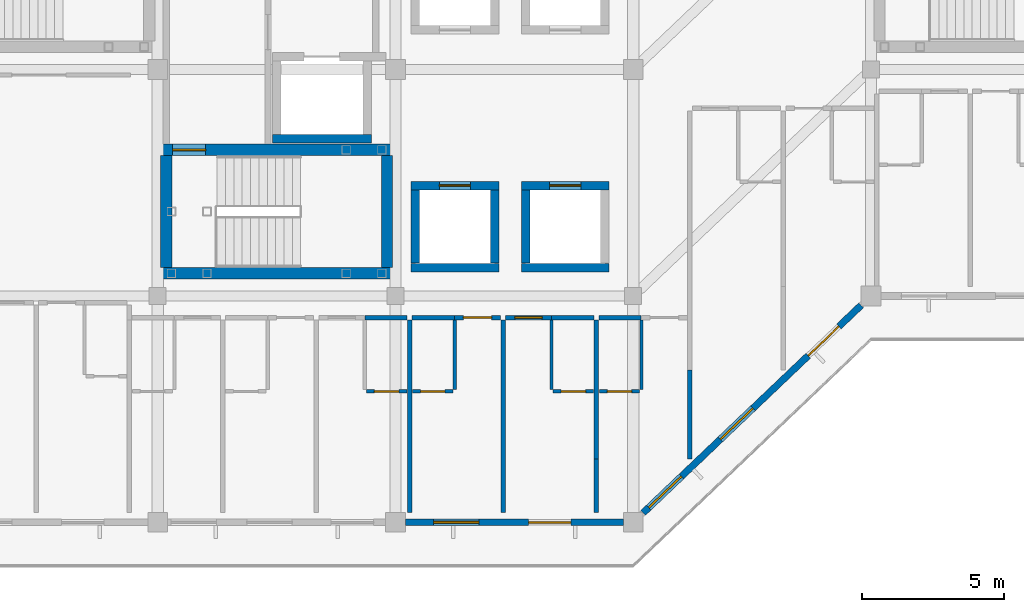
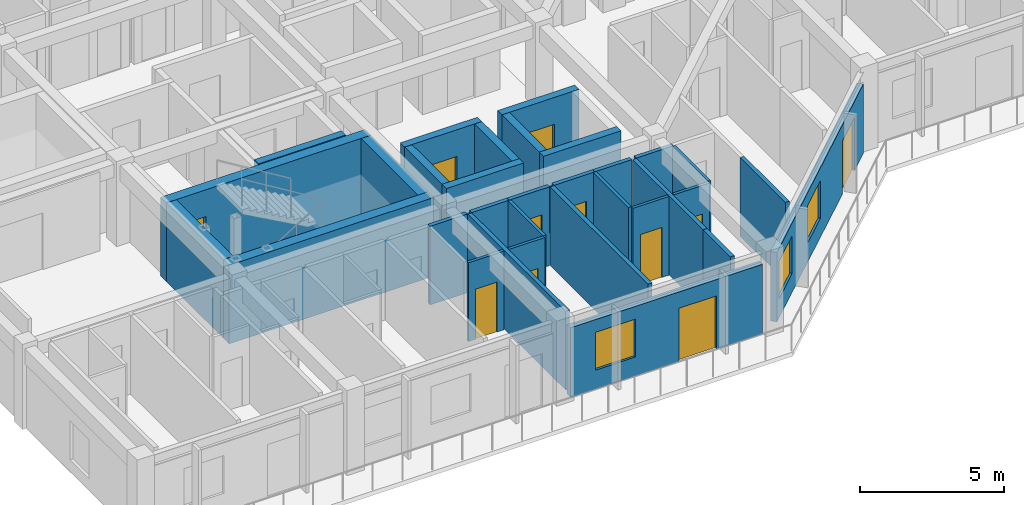
# One storey, part 5 of 15: 32 walls, 11 doors, 3 windows, 14 openings.
"""IFC4 building model written with IfcOpenShell, lengths in metres."""

from ifc_helpers import new_model, si_unit, direction, frame, frame_2d, origin, place, context, subcontext, project, spatial, rectangle, extrude, material, layer, layer_set, type_object, element, fill, save


model = new_model("IFC4")

# Units and contexts
model_context = context("Model", 3, precision=1e-05, world=origin(), true_north=direction((0.0, 1.0)))
body_context = subcontext(model_context, "Body", "Model", "MODEL_VIEW")
ifc_project = project(units=[si_unit("LENGTHUNIT", "METRE"), si_unit("AREAUNIT", "SQUARE_METRE"), si_unit("VOLUMEUNIT", "CUBIC_METRE"), si_unit("PLANEANGLEUNIT", "RADIAN"), si_unit("MASSUNIT", "GRAM", prefix="KILO")], contexts=[model_context])

# Site, building, storey
site_placement = place(None, origin())
site = spatial("IfcSite", under=ifc_project, at=site_placement, CompositionType="ELEMENT")
building_placement = place(site_placement, origin())
building = spatial("IfcBuilding", under=site, at=building_placement, Name="Naruveol Harbour Congress Hotel", CompositionType="ELEMENT")
storey_placement = place(building_placement, frame((0.0, 0.0, 32.39990234375)))
storey = spatial("IfcBuildingStorey", under=building, at=storey_placement, Name="L07", CompositionType="ELEMENT", Elevation=32.39990234375)

# Wall, opening, door
ifc_material_1 = material(Name="Moisture-Resistant Gypsum Partition", Category="gypsum")
ifc_layer_1 = layer(ifc_material_1, 0.114990234375)
ifc_layer_set_1 = layer_set([ifc_layer_1], Name="Moisture-Resistant Gypsum Partition")
wall_type_1 = type_object("IfcWallType", Name="BATHROOM MOISTURE PARTITION WALL 115", PredefinedType="PARTITIONING", material=ifc_layer_set_1)
wall_1_placement = place(storey_placement, frame((133.3701171875, 4.6298828125, 0.0), z_axis=(0.0, 0.0, 1.0), x_axis=(1.0, 0.0, 0.0)))
wall_1 = element("IfcWall", 1, at=wall_1_placement, inside=storey, type_object=wall_type_1, Name="Bathroom south wall 0891 PW-115", PredefinedType="PARTITIONING", context=body_context, shape_type="SweptSolid", body=[
    extrude(rectangle(XDim=1.429931640625, YDim=0.114990234375, at=frame_2d((0.71484375, 0.0))), origin(), (0.0, 0.0, 1.0), 3.335205078125),
])
opening_1_placement = place(wall_1_placement, frame((0.284912109375, 0.0, 0.0)))
opening_1 = element("IfcOpeningElement", 2, at=opening_1_placement, cuts=wall_1, Name="Opening BD-RM0891", PredefinedType="OPENING", context=body_context, shape_type="SweptSolid", body=[
    extrude(rectangle(XDim=0.860107421875, YDim=2.1201171875, at=frame_2d((0.43017578125, 1.06005859375))), frame((0.0, 0.0673828125, 0.0), z_axis=(0.0, -1.0, 0.0), x_axis=(1.0, 0.0, 0.0)), (0.0, 0.0, 1.0), 0.135009765625),
])
ifc_material_2 = material(Name="Timber & Steel Acoustic Leaf", Category="steel")
door_type_1 = type_object("IfcDoorType", Name="GUEST BATHROOM DOOR 860X2120", OperationType="NOTDEFINED", PredefinedType="DOOR", material=ifc_material_2)
door_1_placement = place(opening_1_placement, origin())
door_1 = element("IfcDoor", 3, at=door_1_placement, inside=storey, type_object=door_type_1, Name="Bathroom Door 0891", OperationType="SINGLE_SWING_RIGHT", OverallHeight=2.1201171875, OverallWidth=0.860107421875, PredefinedType="DOOR", context=body_context, shape_type="SweptSolid", body=[
    extrude(rectangle(XDim=0.860107421875, YDim=2.1201171875, at=frame_2d((0.43017578125, 1.06005859375))), frame((0.0, 0.02490234375, 0.0), z_axis=(0.0, -1.0, 0.0), x_axis=(1.0, 0.0, 0.0)), (0.0, 0.0, 1.0), 0.050048828125),
])
fill(opening_1, door_1)

# Wall
wall_2_placement = place(storey_placement, frame((136.489990234375, 4.68994140625, 0.0), z_axis=(0.0, 0.0, 1.0), x_axis=(0.0, 1.0, 0.0)))
element("IfcWall", 4, at=wall_2_placement, inside=storey, type_object=wall_type_1, Name="Bathroom east wall 0892 PW-115", PredefinedType="PARTITIONING", context=body_context, shape_type="SweptSolid", body=[
    extrude(rectangle(XDim=2.449951171875, YDim=0.114990234375, at=frame_2d((1.22509765625, 0.0))), origin(), (0.0, 0.0, 1.0), 3.335205078125),
])

# Wall, opening, door
wall_3_placement = place(storey_placement, frame((135.0, 4.6298828125, 0.0), z_axis=(0.0, 0.0, 1.0), x_axis=(1.0, 0.0, 0.0)))
wall_3 = element("IfcWall", 5, at=wall_3_placement, inside=storey, type_object=wall_type_1, Name="Bathroom south wall 0892 PW-115", PredefinedType="PARTITIONING", context=body_context, shape_type="SweptSolid", body=[
    extrude(rectangle(XDim=1.429931640625, YDim=0.114990234375, at=frame_2d((0.71484375, 0.0))), origin(), (0.0, 0.0, 1.0), 3.335205078125),
])
opening_2_placement = place(wall_3_placement, frame((0.284912109375, 0.0, 0.0)))
opening_2 = element("IfcOpeningElement", 6, at=opening_2_placement, cuts=wall_3, Name="Opening BD-RM0892", PredefinedType="OPENING", context=body_context, shape_type="SweptSolid", body=[
    extrude(rectangle(XDim=0.860107421875, YDim=2.1201171875, at=frame_2d((0.43017578125, 1.06005859375))), frame((0.0, 0.0673828125, 0.0), z_axis=(0.0, -1.0, 0.0), x_axis=(1.0, 0.0, 0.0)), (0.0, 0.0, 1.0), 0.135009765625),
])
door_2_placement = place(opening_2_placement, origin())
door_2 = element("IfcDoor", 7, at=door_2_placement, inside=storey, type_object=door_type_1, Name="Bathroom Door 0892", OperationType="SINGLE_SWING_RIGHT", OverallHeight=2.1201171875, OverallWidth=0.860107421875, PredefinedType="DOOR", context=body_context, shape_type="SweptSolid", body=[
    extrude(rectangle(XDim=0.860107421875, YDim=2.1201171875, at=frame_2d((0.43017578125, 1.06005859375))), frame((0.0, 0.02490234375, 0.0), z_axis=(0.0, -1.0, 0.0), x_axis=(1.0, 0.0, 0.0)), (0.0, 0.0, 1.0), 0.050048828125),
])
fill(opening_2, door_2)

# Wall
wall_4_placement = place(storey_placement, frame((139.909912109375, 4.68994140625, 0.0), z_axis=(0.0, 0.0, 1.0), x_axis=(0.0, 1.0, 0.0)))
element("IfcWall", 8, at=wall_4_placement, inside=storey, type_object=wall_type_1, Name="Bathroom west wall 0893 PW-115", PredefinedType="PARTITIONING", context=body_context, shape_type="SweptSolid", body=[
    extrude(rectangle(XDim=2.449951171875, YDim=0.114990234375, at=frame_2d((1.22509765625, 0.0))), origin(), (0.0, 0.0, 1.0), 3.335205078125),
])

# Wall, opening, door
wall_5_placement = place(storey_placement, frame((139.969970703125, 4.6298828125, 0.0), z_axis=(0.0, 0.0, 1.0), x_axis=(1.0, 0.0, 0.0)))
wall_5 = element("IfcWall", 9, at=wall_5_placement, inside=storey, type_object=wall_type_1, Name="Bathroom south wall 0893 PW-115", PredefinedType="PARTITIONING", context=body_context, shape_type="SweptSolid", body=[
    extrude(rectangle(XDim=1.429931640625, YDim=0.114990234375, at=frame_2d((0.71484375, 0.0))), origin(), (0.0, 0.0, 1.0), 3.335205078125),
])
opening_3_placement = place(wall_5_placement, frame((0.284912109375, 0.0, 0.0)))
opening_3 = element("IfcOpeningElement", 10, at=opening_3_placement, cuts=wall_5, Name="Opening BD-RM0893", PredefinedType="OPENING", context=body_context, shape_type="SweptSolid", body=[
    extrude(rectangle(XDim=0.860107421875, YDim=2.1201171875, at=frame_2d((0.43017578125, 1.06005859375))), frame((0.0, 0.0673828125, 0.0), z_axis=(0.0, -1.0, 0.0), x_axis=(1.0, 0.0, 0.0)), (0.0, 0.0, 1.0), 0.135009765625),
])
door_3_placement = place(opening_3_placement, origin())
door_3 = element("IfcDoor", 11, at=door_3_placement, inside=storey, type_object=door_type_1, Name="Bathroom Door 0893", OperationType="SINGLE_SWING_RIGHT", OverallHeight=2.1201171875, OverallWidth=0.860107421875, PredefinedType="DOOR", context=body_context, shape_type="SweptSolid", body=[
    extrude(rectangle(XDim=0.860107421875, YDim=2.1201171875, at=frame_2d((0.43017578125, 1.06005859375))), frame((0.0, 0.02490234375, 0.0), z_axis=(0.0, -1.0, 0.0), x_axis=(1.0, 0.0, 0.0)), (0.0, 0.0, 1.0), 0.050048828125),
])
fill(opening_3, door_3)

# Wall
wall_6_placement = place(storey_placement, frame((143.090087890625, 4.68994140625, 0.0), z_axis=(0.0, 0.0, 1.0), x_axis=(0.0, 1.0, 0.0)))
element("IfcWall", 12, at=wall_6_placement, inside=storey, type_object=wall_type_1, Name="Bathroom east wall 0894 PW-115", PredefinedType="PARTITIONING", context=body_context, shape_type="SweptSolid", body=[
    extrude(rectangle(XDim=2.449951171875, YDim=0.114990234375, at=frame_2d((1.22509765625, 0.0))), origin(), (0.0, 0.0, 1.0), 3.335205078125),
])

# Wall, opening, door
wall_7_placement = place(storey_placement, frame((141.60009765625, 4.6298828125, 0.0), z_axis=(0.0, 0.0, 1.0), x_axis=(1.0, 0.0, 0.0)))
wall_7 = element("IfcWall", 13, at=wall_7_placement, inside=storey, type_object=wall_type_1, Name="Bathroom south wall 0894 PW-115", PredefinedType="PARTITIONING", context=body_context, shape_type="SweptSolid", body=[
    extrude(rectangle(XDim=1.429931640625, YDim=0.114990234375, at=frame_2d((0.71484375, 0.0))), origin(), (0.0, 0.0, 1.0), 3.335205078125),
])
opening_4_placement = place(wall_7_placement, frame((0.284912109375, 0.0, 0.0)))
opening_4 = element("IfcOpeningElement", 14, at=opening_4_placement, cuts=wall_7, Name="Opening BD-RM0894", PredefinedType="OPENING", context=body_context, shape_type="SweptSolid", body=[
    extrude(rectangle(XDim=0.860107421875, YDim=2.1201171875, at=frame_2d((0.43017578125, 1.06005859375))), frame((0.0, 0.0673828125, 0.0), z_axis=(0.0, -1.0, 0.0), x_axis=(1.0, 0.0, 0.0)), (0.0, 0.0, 1.0), 0.135009765625),
])
door_4_placement = place(opening_4_placement, origin())
door_4 = element("IfcDoor", 15, at=door_4_placement, inside=storey, type_object=door_type_1, Name="Bathroom Door 0894", OperationType="SINGLE_SWING_RIGHT", OverallHeight=2.1201171875, OverallWidth=0.860107421875, PredefinedType="DOOR", context=body_context, shape_type="SweptSolid", body=[
    extrude(rectangle(XDim=0.860107421875, YDim=2.1201171875, at=frame_2d((0.43017578125, 1.06005859375))), frame((0.0, 0.02490234375, 0.0), z_axis=(0.0, -1.0, 0.0), x_axis=(1.0, 0.0, 0.0)), (0.0, 0.0, 1.0), 0.050048828125),
])
fill(opening_4, door_4)

# Walls
ifc_material_3 = material(Name="Autoclaved Aerated Concrete Block", Category="concrete")
ifc_layer_2 = layer(ifc_material_3, 0.159912109375)
ifc_layer_set_2 = layer_set([ifc_layer_2], Name="Autoclaved Aerated Concrete Block")
wall_type_2 = type_object("IfcWallType", Name="HOTEL PARTY AND CORRIDOR WALL 160 EI60", PredefinedType="PARTITIONING", material=ifc_layer_set_2)
for number, where, z_axis, x_axis, name in (
    (16, (133.320068359375, 7.22998046875, 0.0), (0.0, 0.0, 1.0), (1.0, 0.0, 0.0), "Corridor wall 0891B PW-160"),
    (17, (134.989990234375, 7.22998046875, 0.0), (0.0, 0.0, 1.0), (1.0, 0.0, 0.0), "Corridor wall 0892B PW-160"),
):
    element("IfcWall", number, at=place(storey_placement, frame(where, z_axis=z_axis, x_axis=x_axis)), inside=storey, type_object=wall_type_2, Name=name, PredefinedType="PARTITIONING", context=body_context, shape_type="SweptSolid", body=[
        extrude(rectangle(XDim=1.489990234375, YDim=0.159912109375, at=frame_2d((0.7451171875, 0.0))), origin(), (0.0, 0.0, 1.0), 3.335205078125),
    ])

# Wall, opening, door
wall_8_placement = place(storey_placement, frame((136.489990234375, 7.22998046875, 0.0), z_axis=(0.0, 0.0, 1.0), x_axis=(1.0, 0.0, 0.0)))
wall_8 = element("IfcWall", 18, at=wall_8_placement, inside=storey, type_object=wall_type_2, Name="Corridor entry wall 0892 PW-160", PredefinedType="PARTITIONING", context=body_context, shape_type="SweptSolid", body=[
    extrude(rectangle(XDim=1.6201171875, YDim=0.159912109375, at=frame_2d((0.81005859375, 0.0))), origin(), (0.0, 0.0, 1.0), 3.335205078125),
])
opening_5_placement = place(wall_8_placement, frame((0.31005859375, 0.0, 0.0)))
opening_5 = element("IfcOpeningElement", 19, at=opening_5_placement, cuts=wall_8, Name="Opening FD-RM0892", PredefinedType="OPENING", context=body_context, shape_type="SweptSolid", body=[
    extrude(rectangle(XDim=1.0, YDim=2.25, at=frame_2d((0.5, 1.125))), frame((0.0, 0.08984375, 0.0), z_axis=(0.0, -1.0, 0.0), x_axis=(1.0, 0.0, 0.0)), (0.0, 0.0, 1.0), 0.179931640625),
])
ifc_material_4 = material(Name="Timber & Steel Acoustic Leaf", Category="steel")
door_type_2 = type_object("IfcDoorType", Name="DELUXE GUEST ENTRANCE FIRE DOOR 1000X2250", OperationType="NOTDEFINED", PredefinedType="DOOR", material=ifc_material_4)
door_5_placement = place(opening_5_placement, origin())
door_5 = element("IfcDoor", 20, at=door_5_placement, inside=storey, type_object=door_type_2, Name="Hotel Room Door 0892", OperationType="SINGLE_SWING_LEFT", OverallHeight=2.25, OverallWidth=1.0, PredefinedType="DOOR", context=body_context, shape_type="SweptSolid", body=[
    extrude(rectangle(XDim=1.0, YDim=2.25, at=frame_2d((0.5, 1.125))), frame((0.0, 0.02490234375, 0.0), z_axis=(0.0, -1.0, 0.0), x_axis=(1.0, 0.0, 0.0)), (0.0, 0.0, 1.0), 0.050048828125),
])
fill(opening_5, door_5)

# Wall
wall_9_placement = place(storey_placement, frame((134.89990234375, 0.340087890625, 0.0), z_axis=(0.0, 0.0, 1.0), x_axis=(0.0, 1.0, 0.0)))
element("IfcWall", 21, at=wall_9_placement, inside=storey, type_object=wall_type_2, Name="Hotel party wall 0892 PW-160", PredefinedType="PARTITIONING", context=body_context, shape_type="SweptSolid", body=[
    extrude(rectangle(XDim=6.7998046875, YDim=0.159912109375, at=frame_2d((3.39990234375, 0.0))), origin(), (0.0, 0.0, 1.0), 3.335205078125),
])

# Wall, opening, door
wall_10_placement = place(storey_placement, frame((138.2900390625, 7.22998046875, 0.0), z_axis=(0.0, 0.0, 1.0), x_axis=(1.0, 0.0, 0.0)))
wall_10 = element("IfcWall", 22, at=wall_10_placement, inside=storey, type_object=wall_type_2, Name="Corridor entry wall 0893 PW-160", PredefinedType="PARTITIONING", context=body_context, shape_type="SweptSolid", body=[
    extrude(rectangle(XDim=1.619873046875, YDim=0.159912109375, at=frame_2d((0.81005859375, 0.0))), origin(), (0.0, 0.0, 1.0), 3.335205078125),
])
opening_6_placement = place(wall_10_placement, frame((0.330078125, 0.0, 0.0)))
opening_6 = element("IfcOpeningElement", 23, at=opening_6_placement, cuts=wall_10, Name="Opening FD-RM0893", PredefinedType="OPENING", context=body_context, shape_type="SweptSolid", body=[
    extrude(rectangle(XDim=0.9599609375, YDim=2.199951171875, at=frame_2d((0.47998046875, 1.10009765625))), frame((0.0, 0.08984375, 0.0), z_axis=(0.0, -1.0, 0.0), x_axis=(1.0, 0.0, 0.0)), (0.0, 0.0, 1.0), 0.179931640625),
])
ifc_material_5 = material(Name="Timber & Steel Acoustic Leaf", Category="steel")
door_type_3 = type_object("IfcDoorType", Name="GUEST ROOM ENTRANCE FIRE DOOR 960X2200", OperationType="NOTDEFINED", PredefinedType="DOOR", material=ifc_material_5)
door_6_placement = place(opening_6_placement, origin())
door_6 = element("IfcDoor", 24, at=door_6_placement, inside=storey, type_object=door_type_3, Name="Hotel Room Door 0893", OperationType="SINGLE_SWING_LEFT", OverallHeight=2.199951171875, OverallWidth=0.9599609375, PredefinedType="DOOR", context=body_context, shape_type="SweptSolid", body=[
    extrude(rectangle(XDim=0.9599609375, YDim=2.199951171875, at=frame_2d((0.47998046875, 1.10009765625))), frame((0.0, 0.02490234375, 0.0), z_axis=(0.0, -1.0, 0.0), x_axis=(1.0, 0.0, 0.0)), (0.0, 0.0, 1.0), 0.050048828125),
])
fill(opening_6, door_6)

# Walls
wall_11_placement = place(storey_placement, frame((139.919921875, 7.22998046875, 0.0), z_axis=(0.0, 0.0, 1.0), x_axis=(1.0, 0.0, 0.0)))
element("IfcWall", 25, at=wall_11_placement, inside=storey, type_object=wall_type_2, Name="Corridor wall 0893B PW-160", PredefinedType="PARTITIONING", context=body_context, shape_type="SweptSolid", body=[
    extrude(rectangle(XDim=1.489990234375, YDim=0.159912109375, at=frame_2d((0.7451171875, 0.0))), origin(), (0.0, 0.0, 1.0), 3.335205078125),
])
wall_12_placement = place(storey_placement, frame((138.199951171875, 0.340087890625, 0.0), z_axis=(0.0, 0.0, 1.0), x_axis=(0.0, 1.0, 0.0)))
element("IfcWall", 26, at=wall_12_placement, inside=storey, type_object=wall_type_2, Name="Hotel party wall 0893 PW-160", PredefinedType="PARTITIONING", context=body_context, shape_type="SweptSolid", body=[
    extrude(rectangle(XDim=6.7998046875, YDim=0.159912109375, at=frame_2d((3.39990234375, 0.0))), origin(), (0.0, 0.0, 1.0), 3.335205078125),
])
wall_13_placement = place(storey_placement, frame((141.5, 0.340087890625, 0.0), z_axis=(0.0, 0.0, 1.0), x_axis=(0.0, 1.0, 0.0)))
element("IfcWall", 27, at=wall_13_placement, inside=storey, type_object=wall_type_2, Name="Hotel end party wall 0893 PW-160", PredefinedType="PARTITIONING", context=body_context, shape_type="SweptSolid", body=[
    extrude(rectangle(XDim=1.889892578125, YDim=0.159912109375, at=frame_2d((0.94482421875, 0.0))), origin(), (0.0, 0.0, 1.0), 3.335205078125),
])
wall_14_placement = place(storey_placement, frame((141.590087890625, 7.22998046875, 0.0), z_axis=(0.0, 0.0, 1.0), x_axis=(1.0, 0.0, 0.0)))
element("IfcWall", 28, at=wall_14_placement, inside=storey, type_object=wall_type_2, Name="Corridor wall 0894B PW-160", PredefinedType="PARTITIONING", context=body_context, shape_type="SweptSolid", body=[
    extrude(rectangle(XDim=1.489990234375, YDim=0.159912109375, at=frame_2d((0.7451171875, 0.0))), origin(), (0.0, 0.0, 1.0), 3.335205078125),
])
wall_15_placement = place(storey_placement, frame((141.5, 2.239990234375, 0.0), z_axis=(0.0, 0.0, 1.0), x_axis=(0.0, 1.0, 0.0)))
element("IfcWall", 29, at=wall_15_placement, inside=storey, type_object=wall_type_2, Name="Hotel party wall 0894 PW-160", PredefinedType="PARTITIONING", context=body_context, shape_type="SweptSolid", body=[
    extrude(rectangle(XDim=4.89990234375, YDim=0.159912109375, at=frame_2d((2.449951171875, 0.0))), origin(), (0.0, 0.0, 1.0), 3.335205078125),
])
wall_16_placement = place(storey_placement, frame((144.800048828125, 2.239990234375, 0.0), z_axis=(0.0, 0.0, 1.0), x_axis=(0.0, 1.0, 0.0)))
element("IfcWall", 30, at=wall_16_placement, inside=storey, type_object=wall_type_2, Name="Hotel end party wall 0894 PW-160", PredefinedType="PARTITIONING", context=body_context, shape_type="SweptSolid", body=[
    extrude(rectangle(XDim=3.139892578125, YDim=0.159912109375, at=frame_2d((1.56982421875, 0.0))), origin(), (0.0, 0.0, 1.0), 3.335205078125),
])

# Wall, openings, window, door
ifc_material_6 = material(Name="Concrete C40/50", Category="concrete")
ifc_layer_3 = layer(ifc_material_6, 0.239990234375)
ifc_layer_set_3 = layer_set([ifc_layer_3], Name="Concrete C40/50")
wall_type_3 = type_object("IfcWallType", Name="INSULATED HOTEL SPANDREL WALL 240", PredefinedType="SOLIDWALL", material=ifc_layer_set_3)
wall_17_placement = place(storey_placement, frame((142.449951171875, 0.0, 0.0), z_axis=(0.0, 0.0, 1.0), x_axis=(-1.0, 0.0, 0.0)))
wall_17 = element("IfcWall", 31, at=wall_17_placement, inside=storey, type_object=wall_type_3, Name="Hotel south waterfront wall L07 EW-240", PredefinedType="SOLIDWALL", context=body_context, shape_type="SweptSolid", body=[
    extrude(rectangle(XDim=7.699951171875, YDim=0.239990234375, at=frame_2d((3.85009765625, 0.0))), origin(), (0.0, 0.0, 1.0), 2.940185546875),
])
opening_7_placement = place(wall_17_placement, frame((1.85009765625, 0.0, 0.0)))
opening_7 = element("IfcOpeningElement", 32, at=opening_7_placement, cuts=wall_17, Name="Opening BD-150-056", PredefinedType="OPENING", context=body_context, shape_type="SweptSolid", body=[
    extrude(rectangle(XDim=1.5, YDim=2.25, at=frame_2d((0.75, 1.125))), frame((0.0, 0.1298828125, 0.0), z_axis=(0.0, -1.0, 0.0), x_axis=(1.0, 0.0, 0.0)), (0.0, 0.0, 1.0), 0.260009765625),
])
opening_8_placement = place(wall_17_placement, frame((5.10009765625, 0.0, 0.800048828125)))
opening_8 = element("IfcOpeningElement", 33, at=opening_8_placement, cuts=wall_17, Name="Opening W-03", PredefinedType="OPENING", context=body_context, shape_type="SweptSolid", body=[
    extrude(rectangle(XDim=1.60009765625, YDim=1.60009765625, at=frame_2d((0.800048828125, 0.800048828125))), frame((0.0, 0.1298828125, 0.0), z_axis=(0.0, -1.0, 0.0), x_axis=(1.0, 0.0, 0.0)), (0.0, 0.0, 1.0), 0.260009765625),
])
ifc_material_7 = material(Name="Low-E Triple Glazing in Thermal Aluminium", Category="aluminium")
window_type = type_object("IfcWindowType", Name="DELUXE GUEST WINDOW 1600X1600", PartitioningType="SINGLE_PANEL", PredefinedType="WINDOW", material=ifc_material_7)
window_1_placement = place(opening_8_placement, origin())
window_1 = element("IfcWindow", 34, at=window_1_placement, inside=storey, type_object=window_type, Name="Window W-03 #388", OverallHeight=1.60009765625, OverallWidth=1.60009765625, PartitioningType="SINGLE_PANEL", PredefinedType="WINDOW", context=body_context, shape_type="SweptSolid", body=[
    extrude(rectangle(XDim=1.60009765625, YDim=1.60009765625, at=frame_2d((0.800048828125, 0.800048828125))), frame((0.0, 0.030029296875, 0.0), z_axis=(0.0, -1.0, 0.0), x_axis=(1.0, 0.0, 0.0)), (0.0, 0.0, 1.0), 0.06005859375),
])
fill(opening_8, window_1)
ifc_material_8 = material(Name="Powder-Coated Steel & Insulated Glazing", Category="steel")
door_type_4 = type_object("IfcDoorType", Name="SUITE BALCONY SLIDING DOOR 1500X2250", OperationType="SLIDING_TO_LEFT", PredefinedType="DOOR", material=ifc_material_8)
door_7_placement = place(opening_7_placement, origin())
door_7 = element("IfcDoor", 35, at=door_7_placement, inside=storey, type_object=door_type_4, Name="Exterior door BD-150-056", OperationType="SLIDING_TO_LEFT", OverallHeight=2.25, OverallWidth=1.5, PredefinedType="DOOR", context=body_context, shape_type="SweptSolid", body=[
    extrude(rectangle(XDim=1.5, YDim=2.25, at=frame_2d((0.75, 1.125))), frame((0.0, 0.02490234375, 0.0), z_axis=(0.0, -1.0, 0.0), x_axis=(1.0, 0.0, 0.0)), (0.0, 0.0, 1.0), 0.050048828125),
])
fill(opening_7, door_7)

# Wall, openings, windows, door
wall_18_placement = place(storey_placement, frame((150.85009765625, 7.6669921875, 0.0), z_axis=(0.0, 0.0, 1.0), x_axis=(-0.724116091282, -0.689678103427, 0.0)))
wall_18 = element("IfcWall", 36, at=wall_18_placement, inside=storey, type_object=wall_type_3, Name="Hotel south waterfront wall L07 EW-240", PredefinedType="SOLIDWALL", context=body_context, shape_type="SweptSolid", body=[
    extrude(rectangle(XDim=10.634033203125, YDim=0.239990234375, at=frame_2d((5.31689453125, 0.0))), origin(), (0.0, 0.0, 1.0), 2.940185546875),
])
opening_9_placement = place(wall_18_placement, frame((1.080078125, 0.0, 0.0)))
opening_9 = element("IfcOpeningElement", 37, at=opening_9_placement, cuts=wall_18, Name="Opening BD-150-057", PredefinedType="OPENING", context=body_context, shape_type="SweptSolid", body=[
    extrude(rectangle(XDim=1.5, YDim=2.25, at=frame_2d((0.75, 1.125))), frame((0.0, 0.1298828125, 0.0), z_axis=(0.0, -1.0, 0.0), x_axis=(1.0, 0.0, 0.0)), (0.0, 0.0, 1.0), 0.260009765625),
])
opening_10_placement = place(wall_18_placement, frame((5.27587890625, 0.0, 0.800048828125)))
opening_10 = element("IfcOpeningElement", 38, at=opening_10_placement, cuts=wall_18, Name="Opening W-03", PredefinedType="OPENING", context=body_context, shape_type="SweptSolid", body=[
    extrude(rectangle(XDim=1.60009765625, YDim=1.60009765625, at=frame_2d((0.800048828125, 0.800048828125))), frame((0.0, 0.1298828125, 0.0), z_axis=(0.0, -1.0, 0.0), x_axis=(1.0, 0.0, 0.0)), (0.0, 0.0, 1.0), 0.260009765625),
])
opening_11_placement = place(wall_18_placement, frame((8.763916015625, 0.0, 0.800048828125)))
opening_11 = element("IfcOpeningElement", 39, at=opening_11_placement, cuts=wall_18, Name="Opening W-03", PredefinedType="OPENING", context=body_context, shape_type="SweptSolid", body=[
    extrude(rectangle(XDim=1.60009765625, YDim=1.60009765625, at=frame_2d((0.800048828125, 0.800048828125))), frame((0.0, 0.1298828125, 0.0), z_axis=(0.0, -1.0, 0.0), x_axis=(1.0, 0.0, 0.0)), (0.0, 0.0, 1.0), 0.260009765625),
])
window_2_placement = place(opening_10_placement, origin())
window_2 = element("IfcWindow", 40, at=window_2_placement, inside=storey, type_object=window_type, Name="Window W-03 #391", OverallHeight=1.60009765625, OverallWidth=1.60009765625, PartitioningType="SINGLE_PANEL", PredefinedType="WINDOW", context=body_context, shape_type="SweptSolid", body=[
    extrude(rectangle(XDim=1.60009765625, YDim=1.60009765625, at=frame_2d((0.800048828125, 0.800048828125))), frame((0.0, 0.030029296875, 0.0), z_axis=(0.0, -1.0, 0.0), x_axis=(1.0, 0.0, 0.0)), (0.0, 0.0, 1.0), 0.06005859375),
])
fill(opening_10, window_2)
window_3_placement = place(opening_11_placement, origin())
window_3 = element("IfcWindow", 41, at=window_3_placement, inside=storey, type_object=window_type, Name="Window W-03 #392", OverallHeight=1.60009765625, OverallWidth=1.60009765625, PartitioningType="SINGLE_PANEL", PredefinedType="WINDOW", context=body_context, shape_type="SweptSolid", body=[
    extrude(rectangle(XDim=1.60009765625, YDim=1.60009765625, at=frame_2d((0.800048828125, 0.800048828125))), frame((0.0, 0.030029296875, 0.0), z_axis=(0.0, -1.0, 0.0), x_axis=(1.0, 0.0, 0.0)), (0.0, 0.0, 1.0), 0.06005859375),
])
fill(opening_11, window_3)
door_8_placement = place(opening_9_placement, origin())
door_8 = element("IfcDoor", 42, at=door_8_placement, inside=storey, type_object=door_type_4, Name="Exterior door BD-150-057", OperationType="SLIDING_TO_LEFT", OverallHeight=2.25, OverallWidth=1.5, PredefinedType="DOOR", context=body_context, shape_type="SweptSolid", body=[
    extrude(rectangle(XDim=1.5, YDim=2.25, at=frame_2d((0.75, 1.125))), frame((0.0, 0.02490234375, 0.0), z_axis=(0.0, -1.0, 0.0), x_axis=(1.0, 0.0, 0.0)), (0.0, 0.0, 1.0), 0.050048828125),
])
fill(opening_9, door_8)

# Walls
ifc_material_9 = material(Name="Concrete C50/60", Category="concrete")
ifc_layer_4 = layer(ifc_material_9, 0.39990234375)
ifc_layer_set_4 = layer_set([ifc_layer_4], Name="Concrete C50/60")
wall_type_4 = type_object("IfcWallType", Name="RC CORE SHEAR WALL 400 EI120", PredefinedType="SHEAR", material=ifc_layer_set_4)
wall_19_placement = place(storey_placement, frame((126.10009765625, 8.800048828125, 0.0), z_axis=(0.0, 0.0, 1.0), x_axis=(1.0, 0.0, 0.0)))
element("IfcWall", 43, at=wall_19_placement, inside=storey, type_object=wall_type_4, Name="Stair ST1 south core wall CW-400", PredefinedType="SHEAR", context=body_context, shape_type="SweptSolid", body=[
    extrude(rectangle(XDim=8.199951171875, YDim=0.39990234375, at=frame_2d((4.10009765625, 0.0))), origin(), (0.0, 0.0, 1.0), 3.335205078125),
])
wall_20_placement = place(storey_placement, frame((134.10009765625, 9.0048828125, 0.0), z_axis=(0.0, 0.0, 1.0), x_axis=(0.0, 1.0, 0.0)))
element("IfcWall", 44, at=wall_20_placement, inside=storey, type_object=wall_type_4, Name="Stair ST1 east core wall CW-400", PredefinedType="SHEAR", context=body_context, shape_type="SweptSolid", body=[
    extrude(rectangle(XDim=3.9501953125, YDim=0.39990234375, at=frame_2d((1.97509765625, 0.0))), origin(), (0.0, 0.0, 1.0), 3.335205078125),
])

# Wall, opening, door
wall_21_placement = place(storey_placement, frame((126.10009765625, 13.159912109375, 0.0), z_axis=(0.0, 0.0, 1.0), x_axis=(1.0, 0.0, 0.0)))
wall_21 = element("IfcWall", 45, at=wall_21_placement, inside=storey, type_object=wall_type_4, Name="Stair ST1 north core wall CW-400", PredefinedType="SHEAR", context=body_context, shape_type="SweptSolid", body=[
    extrude(rectangle(XDim=8.199951171875, YDim=0.39990234375, at=frame_2d((4.10009765625, 0.0))), origin(), (0.0, 0.0, 1.0), 3.335205078125),
])
opening_12_placement = place(wall_21_placement, frame((0.429931640625, 0.0, 0.0)))
opening_12 = element("IfcOpeningElement", 46, at=opening_12_placement, cuts=wall_21, Name="Opening FD-ST1-S-L07", PredefinedType="OPENING", context=body_context, shape_type="SweptSolid", body=[
    extrude(rectangle(XDim=1.159912109375, YDim=2.199951171875, at=frame_2d((0.580078125, 1.10009765625))), frame((0.0, 0.2099609375, 0.0), z_axis=(0.0, -1.0, 0.0), x_axis=(1.0, 0.0, 0.0)), (0.0, 0.0, 1.0), 0.419921875),
])
ifc_material_10 = material(Name="Timber & Steel Acoustic Leaf", Category="steel")
door_type_5 = type_object("IfcDoorType", Name="SPECIAL ESCAPE STAIR FIRE DOOR 1160X2200", OperationType="NOTDEFINED", PredefinedType="DOOR", material=ifc_material_10)
door_9_placement = place(opening_12_placement, origin())
door_9 = element("IfcDoor", 47, at=door_9_placement, inside=storey, type_object=door_type_5, Name="Special Escape Stair Door ST1 L07", OperationType="SINGLE_SWING_RIGHT", OverallHeight=2.199951171875, OverallWidth=1.159912109375, PredefinedType="DOOR", context=body_context, shape_type="SweptSolid", body=[
    extrude(rectangle(XDim=1.159912109375, YDim=2.199951171875, at=frame_2d((0.580078125, 1.10009765625))), frame((0.0, 0.02490234375, 0.0), z_axis=(0.0, -1.0, 0.0), x_axis=(1.0, 0.0, 0.0)), (0.0, 0.0, 1.0), 0.050048828125),
])
fill(opening_12, door_9)

# Walls
wall_22_placement = place(storey_placement, frame((126.300048828125, 9.0048828125, 0.0), z_axis=(0.0, 0.0, 1.0), x_axis=(0.0, 1.0, 0.0)))
element("IfcWall", 48, at=wall_22_placement, inside=storey, type_object=wall_type_4, Name="Stair ST1 west core wall CW-400", PredefinedType="SHEAR", context=body_context, shape_type="SweptSolid", body=[
    extrude(rectangle(XDim=3.9501953125, YDim=0.39990234375, at=frame_2d((1.97509765625, 0.0))), origin(), (0.0, 0.0, 1.0), 3.335205078125),
])
ifc_material_11 = material(Name="Concrete C50/60", Category="concrete")
ifc_layer_5 = layer(ifc_material_11, 0.300048828125)
ifc_layer_set_5 = layer_set([ifc_layer_5], Name="Concrete C50/60")
wall_type_5 = type_object("IfcWallType", Name="RC STAIR AND HOISTWAY SHEAR WALL 300 EI120", PredefinedType="SHEAR", material=ifc_layer_set_5)
wall_23_placement = place(storey_placement, frame((134.949951171875, 9.0, 0.0), z_axis=(0.0, 0.0, 1.0), x_axis=(1.0, 0.0, 0.0)))
element("IfcWall", 49, at=wall_23_placement, inside=storey, type_object=wall_type_5, Name="Hoistway south shear wall PL3 SW-300", PredefinedType="SHEAR", context=body_context, shape_type="SweptSolid", body=[
    extrude(rectangle(XDim=3.10009765625, YDim=0.300048828125, at=frame_2d((1.550048828125, 0.0))), origin(), (0.0, 0.0, 1.0), 3.335205078125),
])
wall_24_placement = place(storey_placement, frame((137.89990234375, 9.155029296875, 0.0), z_axis=(0.0, 0.0, 1.0), x_axis=(0.0, 1.0, 0.0)))
element("IfcWall", 50, at=wall_24_placement, inside=storey, type_object=wall_type_5, Name="Hoistway east shear wall PL3 SW-300", PredefinedType="SHEAR", context=body_context, shape_type="SweptSolid", body=[
    extrude(rectangle(XDim=2.590087890625, YDim=0.300048828125, at=frame_2d((1.294921875, 0.0))), origin(), (0.0, 0.0, 1.0), 3.335205078125),
])

# Wall, opening, door
wall_25_placement = place(storey_placement, frame((138.050048828125, 11.89990234375, 0.0), z_axis=(0.0, 0.0, 1.0), x_axis=(-1.0, 0.0, 0.0)))
wall_25 = element("IfcWall", 51, at=wall_25_placement, inside=storey, type_object=wall_type_5, Name="Hoistway north shear wall PL3 SW-300", PredefinedType="SHEAR", context=body_context, shape_type="SweptSolid", body=[
    extrude(rectangle(XDim=3.10009765625, YDim=0.300048828125, at=frame_2d((1.550048828125, 0.0))), origin(), (0.0, 0.0, 1.0), 3.335205078125),
])
opening_13_placement = place(wall_25_placement, frame((1.0, 0.0, 0.0)))
opening_13 = element("IfcOpeningElement", 52, at=opening_13_placement, cuts=wall_25, Name="Opening LD-PL3-L07", PredefinedType="OPENING", context=body_context, shape_type="SweptSolid", body=[
    extrude(rectangle(XDim=1.10009765625, YDim=2.199951171875, at=frame_2d((0.550048828125, 1.10009765625))), frame((0.0, 0.159912109375, 0.0), z_axis=(0.0, -1.0, 0.0), x_axis=(1.0, 0.0, 0.0)), (0.0, 0.0, 1.0), 0.320068359375),
])
ifc_material_12 = material(Name="Stainless Steel Lift Door", Category="steel")
door_type_6 = type_object("IfcDoorType", Name="PASSENGER LIFT LANDING DOOR 1100X2200", OperationType="DOUBLE_DOOR_SLIDING", PredefinedType="DOOR", material=ifc_material_12)
door_10_placement = place(opening_13_placement, origin())
door_10 = element("IfcDoor", 53, at=door_10_placement, inside=storey, type_object=door_type_6, Name="Elevator Landing Door PL3 L07", OperationType="DOUBLE_DOOR_SLIDING", OverallHeight=2.199951171875, OverallWidth=1.10009765625, PredefinedType="DOOR", context=body_context, shape_type="SweptSolid", body=[
    extrude(rectangle(XDim=1.10009765625, YDim=2.199951171875, at=frame_2d((0.550048828125, 1.10009765625))), frame((0.0, 0.02490234375, 0.0), z_axis=(0.0, -1.0, 0.0), x_axis=(1.0, 0.0, 0.0)), (0.0, 0.0, 1.0), 0.050048828125),
])
fill(opening_13, door_10)

# Walls
wall_26_placement = place(storey_placement, frame((135.10009765625, 11.7451171875, 0.0), z_axis=(0.0, 0.0, 1.0), x_axis=(0.0, -1.0, 0.0)))
element("IfcWall", 54, at=wall_26_placement, inside=storey, type_object=wall_type_5, Name="Hoistway west shear wall PL3 SW-300", PredefinedType="SHEAR", context=body_context, shape_type="SweptSolid", body=[
    extrude(rectangle(XDim=2.590087890625, YDim=0.300048828125, at=frame_2d((1.294921875, 0.0))), origin(), (0.0, 0.0, 1.0), 3.335205078125),
])
wall_27_placement = place(storey_placement, frame((138.85009765625, 9.0, 0.0), z_axis=(0.0, 0.0, 1.0), x_axis=(1.0, 0.0, 0.0)))
element("IfcWall", 55, at=wall_27_placement, inside=storey, type_object=wall_type_5, Name="Hoistway south shear wall PL4 SW-300", PredefinedType="SHEAR", context=body_context, shape_type="SweptSolid", body=[
    extrude(rectangle(XDim=3.099853515625, YDim=0.300048828125, at=frame_2d((1.5498046875, 0.0))), origin(), (0.0, 0.0, 1.0), 3.335205078125),
])

# Wall, opening, door
wall_28_placement = place(storey_placement, frame((141.949951171875, 11.89990234375, 0.0), z_axis=(0.0, 0.0, 1.0), x_axis=(-1.0, 0.0, 0.0)))
wall_28 = element("IfcWall", 56, at=wall_28_placement, inside=storey, type_object=wall_type_5, Name="Hoistway north shear wall PL4 SW-300", PredefinedType="SHEAR", context=body_context, shape_type="SweptSolid", body=[
    extrude(rectangle(XDim=3.099853515625, YDim=0.300048828125, at=frame_2d((1.5498046875, 0.0))), origin(), (0.0, 0.0, 1.0), 3.335205078125),
])
opening_14_placement = place(wall_28_placement, frame((1.0, 0.0, 0.0)))
opening_14 = element("IfcOpeningElement", 57, at=opening_14_placement, cuts=wall_28, Name="Opening LD-PL4-L07", PredefinedType="OPENING", context=body_context, shape_type="SweptSolid", body=[
    extrude(rectangle(XDim=1.10009765625, YDim=2.199951171875, at=frame_2d((0.550048828125, 1.10009765625))), frame((0.0, 0.159912109375, 0.0), z_axis=(0.0, -1.0, 0.0), x_axis=(1.0, 0.0, 0.0)), (0.0, 0.0, 1.0), 0.320068359375),
])
door_11_placement = place(opening_14_placement, origin())
door_11 = element("IfcDoor", 58, at=door_11_placement, inside=storey, type_object=door_type_6, Name="Elevator Landing Door PL4 L07", OperationType="DOUBLE_DOOR_SLIDING", OverallHeight=2.199951171875, OverallWidth=1.10009765625, PredefinedType="DOOR", context=body_context, shape_type="SweptSolid", body=[
    extrude(rectangle(XDim=1.10009765625, YDim=2.199951171875, at=frame_2d((0.550048828125, 1.10009765625))), frame((0.0, 0.02490234375, 0.0), z_axis=(0.0, -1.0, 0.0), x_axis=(1.0, 0.0, 0.0)), (0.0, 0.0, 1.0), 0.050048828125),
])
fill(opening_14, door_11)

# Walls
wall_29_placement = place(storey_placement, frame((139.0, 11.7451171875, 0.0), z_axis=(0.0, 0.0, 1.0), x_axis=(0.0, -1.0, 0.0)))
element("IfcWall", 59, at=wall_29_placement, inside=storey, type_object=wall_type_5, Name="Hoistway west shear wall PL4 SW-300", PredefinedType="SHEAR", context=body_context, shape_type="SweptSolid", body=[
    extrude(rectangle(XDim=2.590087890625, YDim=0.300048828125, at=frame_2d((1.294921875, 0.0))), origin(), (0.0, 0.0, 1.0), 3.335205078125),
])
wall_30_placement = place(storey_placement, frame((130.050048828125, 13.550048828125, 0.0), z_axis=(0.0, 0.0, 1.0), x_axis=(1.0, 0.0, 0.0)))
element("IfcWall", 60, at=wall_30_placement, inside=storey, type_object=wall_type_5, Name="Hoistway south shear wall FL1 SW-300", PredefinedType="SHEAR", context=body_context, shape_type="SweptSolid", body=[
    extrude(rectangle(XDim=3.5, YDim=0.300048828125, at=frame_2d((1.75, 0.0))), origin(), (0.0, 0.0, 1.0), 3.335205078125),
])

save(model, "model.ifc")
